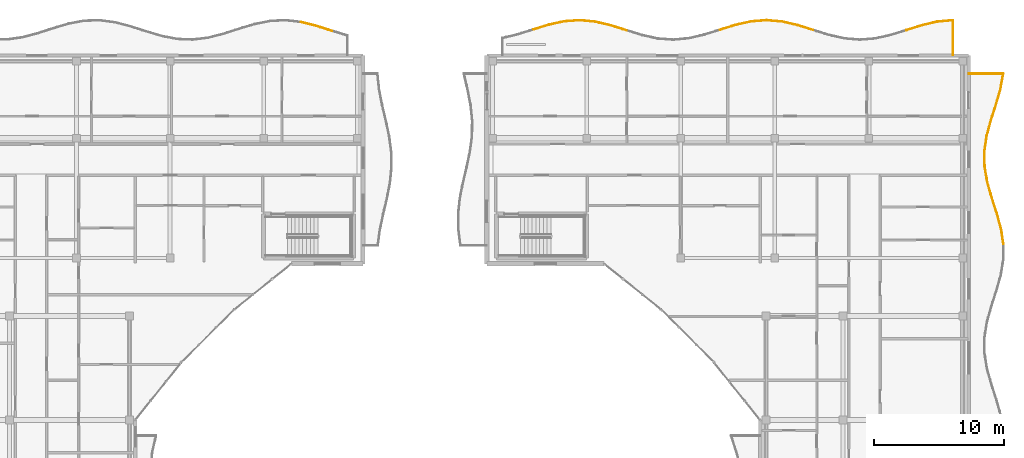
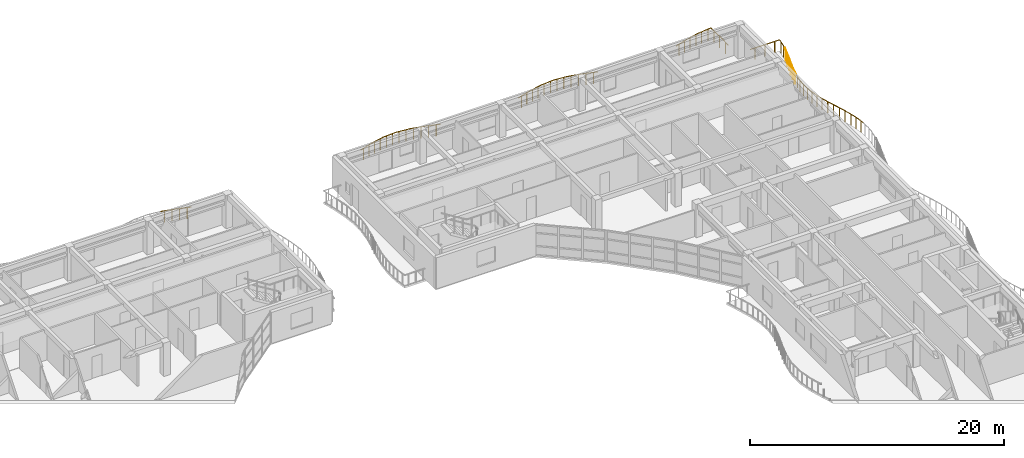
# One storey, part 72 of 72: 30 railings.
"""IFC4 building model written with IfcOpenShell, lengths in metres."""

import ifcopenshell
import ifcopenshell.guid

model = None  # the IFC model being written
_history = None  # IfcOwnerHistory: only IFC2X3 demands one
_inside = {}  # id of a spatial element -> (the spatial element, [elements in it])
_under = {}  # id of a project, library or spatial element -> (it, [spatial elements below it])
_declared = {}  # id of a project -> (the project, [libraries it declares])
_typed = {}  # id of a type object -> (the type object, [elements of that type])
_made_of = {}  # id of a material, layer set ... -> (it, [elements and type objects made of it])


def new_model(schema):
    """Start an empty IFC model of exactly this schema.

    Asked for "IFC4X3", IfcOpenShell would pick the latest addendum, in which some entities
    have other attributes; the version numbers below select the first issue.
    IFC2X3 requires an IfcOwnerHistory on every rooted entity: one is made here for all.
    """
    global model, _history
    if schema == "IFC4X3":
        model = ifcopenshell.file(schema_version=(4, 3, 0, 0))
    else:
        model = ifcopenshell.file(schema=schema)
    _inside.clear()
    _under.clear()
    _declared.clear()
    _typed.clear()
    _made_of.clear()
    _history = None
    if model.schema == "IFC2X3":
        org = make("IfcOrganization", Name="unknown")
        user = make(
            "IfcPersonAndOrganization",
            ThePerson=make("IfcPerson", FamilyName="unknown"),
            TheOrganization=org,
        )
        app = make(
            "IfcApplication",
            ApplicationDeveloper=org,
            Version="unknown",
            ApplicationFullName="unknown",
            ApplicationIdentifier="unknown",
        )
        _history = make(
            "IfcOwnerHistory",
            OwningUser=user,
            OwningApplication=app,
            ChangeAction="ADDED",
            CreationDate=0,
        )
    return model


def make(cls, **values):
    """One entity of the class cls with the attributes given. An attribute that is None is left unset."""
    return model.create_entity(
        cls, **{name: value for name, value in values.items() if value is not None}
    )


def rooted(cls, **values):
    """An entity with a GlobalId (a new one), such as an element, a storey or a relation."""
    return make(cls, GlobalId=ifcopenshell.guid.new(), OwnerHistory=_history, **values)


def si_unit(unit_type, name, prefix=None):
    """IfcSIUnit, for example si_unit("LENGTHUNIT", "METRE", prefix="MILLI")."""
    return make("IfcSIUnit", UnitType=unit_type, Prefix=prefix, Name=name)


def assignment(units):
    """IfcUnitAssignment: the units of a project."""
    return None if units is None else make("IfcUnitAssignment", Units=units)


def point(xyz):
    """IfcCartesianPoint."""
    return None if xyz is None else make("IfcCartesianPoint", Coordinates=xyz)


def direction(xyz):
    """IfcDirection."""
    return None if xyz is None else make("IfcDirection", DirectionRatios=xyz)


def frame(location, z_axis=None, x_axis=None):
    """IfcAxis2Placement3D, a coordinate frame: its origin and axes. An axis left out is left unset."""
    return make(
        "IfcAxis2Placement3D",
        Location=point(location),
        Axis=direction(z_axis),
        RefDirection=direction(x_axis),
    )


def frame_2d(location, x_axis=None):
    """IfcAxis2Placement2D, a coordinate frame in the plane: its origin and x axis."""
    return make(
        "IfcAxis2Placement2D", Location=point(location), RefDirection=direction(x_axis)
    )


def origin():
    """The frame at (0, 0, 0) with its axes left unset."""
    return frame((0.0, 0.0, 0.0))


def origin_2d():
    """The frame at (0, 0) in the plane with its x axis left unset."""
    return frame_2d((0.0, 0.0))


def place(relative_to, where):
    """IfcLocalPlacement: puts the frame where relative to a parent placement (None: the world)."""
    return make(
        "IfcLocalPlacement", PlacementRelTo=relative_to, RelativePlacement=where
    )


def context(
    kind, dimensions, precision=None, world=None, true_north=None, identifier=None
):
    """IfcGeometricRepresentationContext, for example the 3D "Model" context."""
    return make(
        "IfcGeometricRepresentationContext",
        ContextIdentifier=identifier,
        ContextType=kind,
        CoordinateSpaceDimension=dimensions,
        Precision=precision,
        WorldCoordinateSystem=world,
        TrueNorth=true_north,
    )


def subcontext(parent, identifier, kind, view, scale=None):
    """IfcGeometricRepresentationSubContext, for example "Body" below "Model"."""
    return make(
        "IfcGeometricRepresentationSubContext",
        ContextIdentifier=identifier,
        ContextType=kind,
        ParentContext=parent,
        TargetScale=scale,
        TargetView=view,
    )


def project(units=None, contexts=None):
    """IfcProject with its units and contexts."""
    return rooted(
        "IfcProject",
        Name="project",
        RepresentationContexts=contexts,
        UnitsInContext=assignment(units),
    )


def spatial(cls, under=None, at=None, **own):
    """A site, building, storey or space (cls), placed at a placement, below another one or the project."""
    s = rooted(cls, ObjectPlacement=at, **own)
    if under is not None:
        _under.setdefault(under.id(), (under, []))[1].append(s)
    return s


def profile(cls, at=None, kind="AREA", **sizes):
    """A parametric profile (cls). Its sizes go by their IFC names, for example OverallWidth=200.0."""
    return make(cls, ProfileType=kind, Position=at, **sizes)


def circle(**sizes):
    """IfcCircleProfileDef."""
    return profile("IfcCircleProfileDef", **sizes)


def extrude(swept, where, along, depth):
    """IfcExtrudedAreaSolid: the profile swept, set in the frame where, extruded along a direction by depth."""
    return make(
        "IfcExtrudedAreaSolid",
        SweptArea=swept,
        Position=where,
        ExtrudedDirection=direction(along),
        Depth=depth,
    )


def shape(context_of_items, identifier, shape_type, items):
    """IfcShapeRepresentation: the items that make up one representation, for example the "Body"."""
    return make(
        "IfcShapeRepresentation",
        ContextOfItems=context_of_items,
        RepresentationIdentifier=identifier,
        RepresentationType=shape_type,
        Items=items,
    )


def material(Name=None, Category=None):
    """IfcMaterial."""
    return make("IfcMaterial", Name=Name, Category=Category)


def made_of(thing, what):
    """Note that an element or type object is made of a material, layer set ...; save() writes the relation."""
    if what is not None:
        _made_of.setdefault(what.id(), (what, []))[1].append(thing)
    return thing


def type_object(cls, material=None, **own):
    """A type object (cls), such as IfcWallType, which elements share."""
    return made_of(rooted(cls, **own), material)


def element(
    cls,
    number,
    at=None,
    inside=None,
    cuts=None,
    type_object=None,
    material=None,
    context=None,
    identifier="Body",
    shape_type=None,
    held_by="IfcProductDefinitionShape",
    body=None,
    shapes=None,
    **own,
):
    """One element of the class cls, such as IfcWall. Its Tag is "e" and its number.

    at: its placement. inside: the storey or other place that contains it. cuts: it is an
    opening in that element (IfcRelVoidsElement). A single representation is given by context,
    identifier, shape_type and body (its items); several are given by shapes. held_by: the class
    of the entity that holds the representations. save() writes the other relations.
    """
    e = rooted(cls, Tag="e%d" % number, ObjectPlacement=at, **own)
    if body is not None:
        shapes = [shape(context, identifier, shape_type, body)]
    if shapes is not None:
        e.Representation = make(held_by, Representations=shapes)
    if inside is not None:
        _inside.setdefault(inside.id(), (inside, []))[1].append(e)
    if cuts is not None:
        rooted(
            "IfcRelVoidsElement", RelatingBuildingElement=cuts, RelatedOpeningElement=e
        )
    if type_object is not None:
        _typed.setdefault(type_object.id(), (type_object, []))[1].append(e)
    return made_of(e, material)


def aggregate(whole, parts):
    """IfcRelAggregates: a whole, such as a stair, and the parts it consists of."""
    return rooted("IfcRelAggregates", RelatingObject=whole, RelatedObjects=parts)


def save(model, path):
    """Write the relations noted so far, then the file.

    IfcRelAggregates (storeys below a building ...), IfcRelContainedInSpatialStructure (elements
    in a storey), IfcRelDefinesByType, IfcRelAssociatesMaterial and IfcRelDeclares: one each for
    every whole, place, type object, material and project.
    """
    for whole, parts in _under.values():
        aggregate(whole, parts)
    for where, things in _inside.values():
        rooted(
            "IfcRelContainedInSpatialStructure",
            RelatedElements=things,
            RelatingStructure=where,
        )
    for kind, things in _typed.values():
        rooted("IfcRelDefinesByType", RelatedObjects=things, RelatingType=kind)
    for what, things in _made_of.values():
        rooted("IfcRelAssociatesMaterial", RelatedObjects=things, RelatingMaterial=what)
    for by, libraries in _declared.values():
        rooted("IfcRelDeclares", RelatingContext=by, RelatedDefinitions=libraries)
    model.write(path)


model = new_model("IFC4")

# Units and contexts
model_context = context("Model", 3, precision=1e-05, world=origin(), true_north=direction((0.0, 1.0)))
body_context = subcontext(model_context, "Body", "Model", "MODEL_VIEW")
ifc_project = project(units=[si_unit("LENGTHUNIT", "METRE"), si_unit("AREAUNIT", "SQUARE_METRE"), si_unit("VOLUMEUNIT", "CUBIC_METRE"), si_unit("PLANEANGLEUNIT", "RADIAN"), si_unit("MASSUNIT", "GRAM", prefix="KILO")], contexts=[model_context])

# Site, building, storey
site_placement = place(None, origin())
site = spatial("IfcSite", under=ifc_project, at=site_placement, CompositionType="ELEMENT")
building_placement = place(site_placement, origin())
building = spatial("IfcBuilding", under=site, at=building_placement, Name="Keldmere Railside Commons", CompositionType="ELEMENT")
storey_placement = place(building_placement, frame((0.0, 0.0, 16.9599609375)))
storey = spatial("IfcBuildingStorey", under=building, at=storey_placement, Name="L05", CompositionType="ELEMENT", Elevation=16.9599609375)

# Railings
ifc_material = material(Name="Steel F-24 (S235)", Category="steel")
railing_type = type_object("IfcRailingType", Name="Balcony & Terrace Steel Balustrade 1100", PredefinedType="BALUSTRADE", material=ifc_material)
railing_1_placement = place(storey_placement, frame((132.734375, 118.55810546875, 0.0)))
element("IfcRailing", 1, at=railing_1_placement, inside=storey, type_object=railing_type, Name="GR-1 GRD-L05-2401", PredefinedType="BALUSTRADE", context=body_context, shape_type="SweptSolid", body=[
    extrude(circle(Radius=0.02392578125, at=origin_2d()), frame((0.0, 0.0, 1.076171875), z_axis=(0.970048653292, -0.242910704265, 0.0), x_axis=(0.242910704265, 0.970048653292, 0.0)), (0.0, 0.0, 1.0), 1.22509765625),
    extrude(circle(Radius=0.02099609375, at=origin_2d()), frame((0.297119140625, -0.074462890625, 0.0)), (0.0, 0.0, 1.0), 1.048095703125),
    extrude(circle(Radius=0.02099609375, at=origin_2d()), frame((0.891357421875, -0.22314453125, 0.0)), (0.0, 0.0, 1.0), 1.048095703125),
])
railing_2_placement = place(storey_placement, frame((133.9228515625, 118.260498046875, 0.0)))
element("IfcRailing", 2, at=railing_2_placement, inside=storey, type_object=railing_type, Name="GR-1 GRD-L05-2402", PredefinedType="BALUSTRADE", context=body_context, shape_type="SweptSolid", body=[
    extrude(circle(Radius=0.02392578125, at=origin_2d()), frame((0.0, 0.0, 1.076171875), z_axis=(0.952694181035, -0.30393057994, 0.0), x_axis=(0.30393057994, 0.952694181035, 0.0)), (0.0, 0.0, 1.0), 1.24755859375),
    extrude(circle(Radius=0.02099609375, at=origin_2d()), frame((0.297119140625, -0.0947265625, 0.0)), (0.0, 0.0, 1.0), 1.048095703125),
    extrude(circle(Radius=0.02099609375, at=origin_2d()), frame((0.891357421875, -0.284423828125, 0.0)), (0.0, 0.0, 1.0), 1.048095703125),
])
railing_3_placement = place(storey_placement, frame((150.586181640625, 117.993408203125, 0.0)))
element("IfcRailing", 3, at=railing_3_placement, inside=storey, type_object=railing_type, Name="GR-1 GRD-L05-3691", PredefinedType="BALUSTRADE", context=body_context, shape_type="SweptSolid", body=[
    extrude(circle(Radius=0.02392578125, at=origin_2d()), frame((0.0, 0.0, 1.076171875), z_axis=(0.9558720006, 0.293783455065, 0.0), x_axis=(-0.293783455065, 0.9558720006, 0.0)), (0.0, 0.0, 1.0), 1.248291015625),
    extrude(circle(Radius=0.02099609375, at=origin_2d()), frame((0.29833984375, 0.091796875, 0.0)), (0.0, 0.0, 1.0), 1.048095703125),
    extrude(circle(Radius=0.02099609375, at=origin_2d()), frame((0.894775390625, 0.27490234375, 0.0)), (0.0, 0.0, 1.0), 1.048095703125),
])
railing_4_placement = place(storey_placement, frame((151.779296875, 118.360107421875, 0.0)))
element("IfcRailing", 4, at=railing_4_placement, inside=storey, type_object=railing_type, Name="GR-1 GRD-L05-3692", PredefinedType="BALUSTRADE", context=body_context, shape_type="SweptSolid", body=[
    extrude(circle(Radius=0.02392578125, at=origin_2d()), frame((0.0, 0.0, 1.076171875), z_axis=(0.977399648136, 0.211399923896, 0.0), x_axis=(-0.211399923896, 0.977399648136, 0.0)), (0.0, 0.0, 1.0), 1.220703125),
    extrude(circle(Radius=0.02099609375, at=origin_2d()), frame((0.29833984375, 0.064453125, 0.0)), (0.0, 0.0, 1.0), 1.048095703125),
    extrude(circle(Radius=0.02099609375, at=origin_2d()), frame((0.894775390625, 0.193603515625, 0.0)), (0.0, 0.0, 1.0), 1.048095703125),
])
railing_5_placement = place(storey_placement, frame((152.972412109375, 118.6181640625, 0.0)))
element("IfcRailing", 5, at=railing_5_placement, inside=storey, type_object=railing_type, Name="GR-1 GRD-L05-3693", PredefinedType="BALUSTRADE", context=body_context, shape_type="SweptSolid", body=[
    extrude(circle(Radius=0.02392578125, at=origin_2d()), frame((0.0, 0.0, 1.076171875), z_axis=(0.997700351846, 0.067779111277, 0.0), x_axis=(-0.067779111277, 0.997700351846, 0.0)), (0.0, 0.0, 1.0), 1.19580078125),
    extrude(circle(Radius=0.02099609375, at=origin_2d()), frame((0.29833984375, 0.020263671875, 0.0)), (0.0, 0.0, 1.0), 1.048095703125),
    extrude(circle(Radius=0.02099609375, at=origin_2d()), frame((0.894775390625, 0.060791015625, 0.0)), (0.0, 0.0, 1.0), 1.048095703125),
])
railing_6_placement = place(storey_placement, frame((154.16552734375, 118.69921875, 0.0)))
element("IfcRailing", 6, at=railing_6_placement, inside=storey, type_object=railing_type, Name="GR-1 GRD-L05-3694", PredefinedType="BALUSTRADE", context=body_context, shape_type="SweptSolid", body=[
    extrude(circle(Radius=0.02392578125, at=origin_2d()), frame((0.0, 0.0, 1.076171875), z_axis=(0.995171358823, -0.098152771629, 0.0), x_axis=(0.098152771629, 0.995171358823, 0.0)), (0.0, 0.0, 1.0), 1.198974609375),
    extrude(circle(Radius=0.02099609375, at=origin_2d()), frame((0.29833984375, -0.029296875, 0.0)), (0.0, 0.0, 1.0), 1.048095703125),
    extrude(circle(Radius=0.02099609375, at=origin_2d()), frame((0.894775390625, -0.08837890625, 0.0)), (0.0, 0.0, 1.0), 1.048095703125),
])
railing_7_placement = place(storey_placement, frame((155.358642578125, 118.58154296875, 0.0)))
element("IfcRailing", 7, at=railing_7_placement, inside=storey, type_object=railing_type, Name="GR-1 GRD-L05-3695", PredefinedType="BALUSTRADE", context=body_context, shape_type="SweptSolid", body=[
    extrude(circle(Radius=0.02392578125, at=origin_2d()), frame((0.0, 0.0, 1.076171875), z_axis=(0.972697191658, -0.23207794669, 0.0), x_axis=(0.23207794669, 0.972697191658, 0.0)), (0.0, 0.0, 1.0), 1.2265625),
    extrude(circle(Radius=0.02099609375, at=origin_2d()), frame((0.29833984375, -0.0712890625, 0.0)), (0.0, 0.0, 1.0), 1.048095703125),
    extrude(circle(Radius=0.02099609375, at=origin_2d()), frame((0.894775390625, -0.21337890625, 0.0)), (0.0, 0.0, 1.0), 1.048095703125),
])
railing_8_placement = place(storey_placement, frame((156.5517578125, 118.296875, 0.0)))
element("IfcRailing", 8, at=railing_8_placement, inside=storey, type_object=railing_type, Name="GR-1 GRD-L05-3696", PredefinedType="BALUSTRADE", context=body_context, shape_type="SweptSolid", body=[
    extrude(circle(Radius=0.02392578125, at=origin_2d()), frame((0.0, 0.0, 1.076171875), z_axis=(0.953597409286, -0.301084674141, 0.0), x_axis=(0.301084674141, 0.953597409286, 0.0)), (0.0, 0.0, 1.0), 1.251220703125),
    extrude(circle(Radius=0.02099609375, at=origin_2d()), frame((0.29833984375, -0.09423828125, 0.0)), (0.0, 0.0, 1.0), 1.048095703125),
    extrude(circle(Radius=0.02099609375, at=origin_2d()), frame((0.894775390625, -0.282470703125, 0.0)), (0.0, 0.0, 1.0), 1.048095703125),
])
railing_9_placement = place(storey_placement, frame((164.9033203125, 117.96630859375, 0.0)))
element("IfcRailing", 9, at=railing_9_placement, inside=storey, type_object=railing_type, Name="GR-1 GRD-L05-3703", PredefinedType="BALUSTRADE", context=body_context, shape_type="SweptSolid", body=[
    extrude(circle(Radius=0.02392578125, at=origin_2d()), frame((0.0, 0.0, 1.076171875), z_axis=(0.954951552138, 0.296761744619, 0.0), x_axis=(-0.296761744619, 0.954951552138, 0.0)), (0.0, 0.0, 1.0), 1.249755859375),
    extrude(circle(Radius=0.02099609375, at=origin_2d()), frame((0.29833984375, 0.0927734375, 0.0)), (0.0, 0.0, 1.0), 1.048095703125),
    extrude(circle(Radius=0.02099609375, at=origin_2d()), frame((0.89501953125, 0.278076171875, 0.0)), (0.0, 0.0, 1.0), 1.048095703125),
])
railing_10_placement = place(storey_placement, frame((166.0966796875, 118.337158203125, 0.0)))
element("IfcRailing", 10, at=railing_10_placement, inside=storey, type_object=railing_type, Name="GR-1 GRD-L05-3704", PredefinedType="BALUSTRADE", context=body_context, shape_type="SweptSolid", body=[
    extrude(circle(Radius=0.02392578125, at=origin_2d()), frame((0.0, 0.0, 1.076171875), z_axis=(0.975634333686, 0.219402932826, 0.0), x_axis=(-0.219402932826, 0.975634333686, 0.0)), (0.0, 0.0, 1.0), 1.222900390625),
    extrude(circle(Radius=0.02099609375, at=origin_2d()), frame((0.29833984375, 0.067138671875, 0.0)), (0.0, 0.0, 1.0), 1.048095703125),
    extrude(circle(Radius=0.02099609375, at=origin_2d()), frame((0.894775390625, 0.201171875, 0.0)), (0.0, 0.0, 1.0), 1.048095703125),
])
railing_11_placement = place(storey_placement, frame((167.289794921875, 118.60546875, 0.0)))
element("IfcRailing", 11, at=railing_11_placement, inside=storey, type_object=railing_type, Name="GR-1 GRD-L05-3705", PredefinedType="BALUSTRADE", context=body_context, shape_type="SweptSolid", body=[
    extrude(circle(Radius=0.02392578125, at=origin_2d()), frame((0.0, 0.0, 1.076171875), z_axis=(0.996879167168, 0.07894254915, 0.0), x_axis=(-0.07894254915, 0.996879167168, 0.0)), (0.0, 0.0, 1.0), 1.19677734375),
    extrude(circle(Radius=0.02099609375, at=origin_2d()), frame((0.29833984375, 0.023681640625, 0.0)), (0.0, 0.0, 1.0), 1.048095703125),
    extrude(circle(Radius=0.02099609375, at=origin_2d()), frame((0.894775390625, 0.07080078125, 0.0)), (0.0, 0.0, 1.0), 1.048095703125),
])
railing_12_placement = place(storey_placement, frame((168.48291015625, 118.699951171875, 0.0)))
element("IfcRailing", 12, at=railing_12_placement, inside=storey, type_object=railing_type, Name="GR-1 GRD-L05-3706", PredefinedType="BALUSTRADE", context=body_context, shape_type="SweptSolid", body=[
    extrude(circle(Radius=0.02392578125, at=origin_2d()), frame((0.0, 0.0, 1.076171875), z_axis=(0.996203006831, -0.087060721227, 0.0), x_axis=(0.087060721227, 0.996203006831, 0.0)), (0.0, 0.0, 1.0), 1.197509765625),
    extrude(circle(Radius=0.02099609375, at=origin_2d()), frame((0.29833984375, -0.026123046875, 0.0)), (0.0, 0.0, 1.0), 1.048095703125),
    extrude(circle(Radius=0.02099609375, at=origin_2d()), frame((0.89453125, -0.078125, 0.0)), (0.0, 0.0, 1.0), 1.048095703125),
])
railing_13_placement = place(storey_placement, frame((169.67578125, 118.595703125, 0.0)))
element("IfcRailing", 13, at=railing_13_placement, inside=storey, type_object=railing_type, Name="GR-1 GRD-L05-3707", PredefinedType="BALUSTRADE", context=body_context, shape_type="SweptSolid", body=[
    extrude(circle(Radius=0.02392578125, at=origin_2d()), frame((0.0, 0.0, 1.076171875), z_axis=(0.974424790071, -0.224713881402, 0.0), x_axis=(0.224713881402, 0.974424790071, 0.0)), (0.0, 0.0, 1.0), 1.224365234375),
    extrude(circle(Radius=0.02099609375, at=origin_2d()), frame((0.29833984375, -0.06884765625, 0.0)), (0.0, 0.0, 1.0), 1.048095703125),
    extrude(circle(Radius=0.02099609375, at=origin_2d()), frame((0.894775390625, -0.206298828125, 0.0)), (0.0, 0.0, 1.0), 1.048095703125),
])
railing_14_placement = place(storey_placement, frame((170.868896484375, 118.320556640625, 0.0)))
element("IfcRailing", 14, at=railing_14_placement, inside=storey, type_object=railing_type, Name="GR-1 GRD-L05-3708", PredefinedType="BALUSTRADE", context=body_context, shape_type="SweptSolid", body=[
    extrude(circle(Radius=0.02392578125, at=origin_2d()), frame((0.0, 0.0, 1.076171875), z_axis=(0.954323485515, -0.298775308541, 0.0), x_axis=(0.298775308541, 0.954323485515, 0.0)), (0.0, 0.0, 1.0), 1.250244140625),
    extrude(circle(Radius=0.02099609375, at=origin_2d()), frame((0.29833984375, -0.09326171875, 0.0)), (0.0, 0.0, 1.0), 1.048095703125),
    extrude(circle(Radius=0.02099609375, at=origin_2d()), frame((0.894775390625, -0.2802734375, 0.0)), (0.0, 0.0, 1.0), 1.048095703125),
])
railing_15_placement = place(storey_placement, frame((179.220703125, 117.939208984375, 0.0)))
element("IfcRailing", 15, at=railing_15_placement, inside=storey, type_object=railing_type, Name="GR-1 GRD-L05-3715", PredefinedType="BALUSTRADE", context=body_context, shape_type="SweptSolid", body=[
    extrude(circle(Radius=0.02392578125, at=origin_2d()), frame((0.0, 0.0, 1.076171875), z_axis=(0.954100555413, 0.299486444036, 0.0), x_axis=(-0.299486444036, 0.954100555413, 0.0)), (0.0, 0.0, 1.0), 1.25048828125),
    extrude(circle(Radius=0.02099609375, at=origin_2d()), frame((0.29833984375, 0.09375, 0.0)), (0.0, 0.0, 1.0), 1.048095703125),
    extrude(circle(Radius=0.02099609375, at=origin_2d()), frame((0.894775390625, 0.28076171875, 0.0)), (0.0, 0.0, 1.0), 1.048095703125),
])
railing_16_placement = place(storey_placement, frame((180.413818359375, 118.313720703125, 0.0)))
element("IfcRailing", 16, at=railing_16_placement, inside=storey, type_object=railing_type, Name="GR-1 GRD-L05-3716", PredefinedType="BALUSTRADE", context=body_context, shape_type="SweptSolid", body=[
    extrude(circle(Radius=0.02392578125, at=origin_2d()), frame((0.0, 0.0, 1.076171875), z_axis=(0.973898506881, 0.226983916378, 0.0), x_axis=(-0.226983916378, 0.973898506881, 0.0)), (0.0, 0.0, 1.0), 1.22509765625),
    extrude(circle(Radius=0.02099609375, at=origin_2d()), frame((0.29833984375, 0.069580078125, 0.0)), (0.0, 0.0, 1.0), 1.048095703125),
    extrude(circle(Radius=0.02099609375, at=origin_2d()), frame((0.894775390625, 0.20849609375, 0.0)), (0.0, 0.0, 1.0), 1.048095703125),
])
railing_17_placement = place(storey_placement, frame((181.60693359375, 118.591796875, 0.0)))
element("IfcRailing", 17, at=railing_17_placement, inside=storey, type_object=railing_type, Name="GR-1 GRD-L05-3717", PredefinedType="BALUSTRADE", context=body_context, shape_type="SweptSolid", body=[
    extrude(circle(Radius=0.02392578125, at=origin_2d()), frame((0.0, 0.0, 1.076171875), z_axis=(0.995934861319, 0.09007636765, 0.0), x_axis=(-0.09007636765, 0.995934861319, 0.0)), (0.0, 0.0, 1.0), 1.197998046875),
    extrude(circle(Radius=0.02099609375, at=origin_2d()), frame((0.29833984375, 0.02685546875, 0.0)), (0.0, 0.0, 1.0), 1.048095703125),
    extrude(circle(Radius=0.02099609375, at=origin_2d()), frame((0.894775390625, 0.0810546875, 0.0)), (0.0, 0.0, 1.0), 1.048095703125),
])
railing_18_placement = place(storey_placement, frame((182.800048828125, 118.69970703125, 0.0)))
element("IfcRailing", 18, at=railing_18_placement, inside=storey, type_object=railing_type, Name="GR-1 GRD-L05-3718", PredefinedType="BALUSTRADE", context=body_context, shape_type="SweptSolid", body=[
    extrude(circle(Radius=0.02392578125, at=origin_2d()), frame((0.0, 0.0, 1.076171875), z_axis=(0.0, -1.0, 0.0), x_axis=(1.0, 0.0, 0.0)), (0.0, 0.0, 1.0), 2.69970703125),
    extrude(circle(Radius=0.02099609375, at=origin_2d()), frame((0.0, -0.449951171875, 0.0)), (0.0, 0.0, 1.0), 1.048095703125),
    extrude(circle(Radius=0.02099609375, at=origin_2d()), frame((0.0, -1.349853515625, 0.0)), (0.0, 0.0, 1.0), 1.048095703125),
    extrude(circle(Radius=0.02099609375, at=origin_2d()), frame((0.0, -2.249755859375, 0.0)), (0.0, 0.0, 1.0), 1.048095703125),
])
railing_19_placement = place(storey_placement, frame((186.679443359375, 101.49169921875, 0.0)))
element("IfcRailing", 19, at=railing_19_placement, inside=storey, type_object=railing_type, Name="GR-1 GRD-L05-3783", PredefinedType="BALUSTRADE", context=body_context, shape_type="SweptSolid", body=[
    extrude(circle(Radius=0.02392578125, at=origin_2d()), frame((0.0, 0.0, 1.076171875), z_axis=(-0.152072400489, 0.988369356572, 0.0), x_axis=(-0.988369356572, -0.152072400489, 0.0)), (0.0, 0.0, 1.0), 1.20556640625),
    extrude(circle(Radius=0.02099609375, at=origin_2d()), frame((-0.0458984375, 0.2978515625, 0.0)), (0.0, 0.0, 1.0), 1.048095703125),
    extrude(circle(Radius=0.02099609375, at=origin_2d()), frame((-0.137451171875, 0.893798828125, 0.0)), (0.0, 0.0, 1.0), 1.048095703125),
])
railing_20_placement = place(storey_placement, frame((186.49609375, 102.683349609375, 0.0)))
element("IfcRailing", 20, at=railing_20_placement, inside=storey, type_object=railing_type, Name="GR-1 GRD-L05-3784", PredefinedType="BALUSTRADE", context=body_context, shape_type="SweptSolid", body=[
    extrude(circle(Radius=0.02392578125, at=origin_2d()), frame((0.0, 0.0, 1.076171875), z_axis=(-0.264922301005, 0.964269762271, 0.0), x_axis=(-0.964269762271, -0.264922301005, 0.0)), (0.0, 0.0, 1.0), 1.23583984375),
    extrude(circle(Radius=0.02099609375, at=origin_2d()), frame((-0.081787109375, 0.2978515625, 0.0)), (0.0, 0.0, 1.0), 1.048095703125),
    extrude(circle(Radius=0.02099609375, at=origin_2d()), frame((-0.24560546875, 0.893798828125, 0.0)), (0.0, 0.0, 1.0), 1.048095703125),
])
railing_21_placement = place(storey_placement, frame((186.168701171875, 103.875, 0.0)))
element("IfcRailing", 21, at=railing_21_placement, inside=storey, type_object=railing_type, Name="GR-1 GRD-L05-3785", PredefinedType="BALUSTRADE", context=body_context, shape_type="SweptSolid", body=[
    extrude(circle(Radius=0.02392578125, at=origin_2d()), frame((0.0, 0.0, 1.076171875), z_axis=(-0.307794335351, 0.951452913772, 0.0), x_axis=(-0.951452913772, -0.307794335351, 0.0)), (0.0, 0.0, 1.0), 1.25244140625),
    extrude(circle(Radius=0.02099609375, at=origin_2d()), frame((-0.096435546875, 0.2978515625, 0.0)), (0.0, 0.0, 1.0), 1.048095703125),
    extrude(circle(Radius=0.02099609375, at=origin_2d()), frame((-0.2890625, 0.893798828125, 0.0)), (0.0, 0.0, 1.0), 1.048095703125),
])
railing_22_placement = place(storey_placement, frame((185.783203125, 105.066650390625, 0.0)))
element("IfcRailing", 22, at=railing_22_placement, inside=storey, type_object=railing_type, Name="GR-1 GRD-L05-3786", PredefinedType="BALUSTRADE", context=body_context, shape_type="SweptSolid", body=[
    extrude(circle(Radius=0.02392578125, at=origin_2d()), frame((0.0, 0.0, 1.076171875), z_axis=(-0.275345385381, 0.961345369131, 0.0), x_axis=(-0.961345369131, -0.275345385381, 0.0)), (0.0, 0.0, 1.0), 1.239501953125),
    extrude(circle(Radius=0.02099609375, at=origin_2d()), frame((-0.08544921875, 0.2978515625, 0.0)), (0.0, 0.0, 1.0), 1.048095703125),
    extrude(circle(Radius=0.02099609375, at=origin_2d()), frame((-0.255859375, 0.893798828125, 0.0)), (0.0, 0.0, 1.0), 1.048095703125),
])
railing_23_placement = place(storey_placement, frame((185.44189453125, 106.25830078125, 0.0)))
element("IfcRailing", 23, at=railing_23_placement, inside=storey, type_object=railing_type, Name="GR-1 GRD-L05-3787", PredefinedType="BALUSTRADE", context=body_context, shape_type="SweptSolid", body=[
    extrude(circle(Radius=0.02392578125, at=origin_2d()), frame((0.0, 0.0, 1.076171875), z_axis=(-0.17097485304, 0.985275392785, 0.0), x_axis=(-0.985275392785, -0.17097485304, 0.0)), (0.0, 0.0, 1.0), 1.20947265625),
    extrude(circle(Radius=0.02099609375, at=origin_2d()), frame((-0.0517578125, 0.2978515625, 0.0)), (0.0, 0.0, 1.0), 1.048095703125),
    extrude(circle(Radius=0.02099609375, at=origin_2d()), frame((-0.155029296875, 0.893798828125, 0.0)), (0.0, 0.0, 1.0), 1.048095703125),
])
railing_24_placement = place(storey_placement, frame((185.235107421875, 107.449951171875, 0.0)))
element("IfcRailing", 24, at=railing_24_placement, inside=storey, type_object=railing_type, Name="GR-1 GRD-L05-3788", PredefinedType="BALUSTRADE", context=body_context, shape_type="SweptSolid", body=[
    extrude(circle(Radius=0.02392578125, at=origin_2d()), frame((0.0, 0.0, 1.076171875), z_axis=(-0.015159085636, 0.99988509446, 0.0), x_axis=(-0.99988509446, -0.015159085636, 0.0)), (0.0, 0.0, 1.0), 1.19189453125),
    extrude(circle(Radius=0.02099609375, at=origin_2d()), frame((-0.00439453125, 0.2978515625, 0.0)), (0.0, 0.0, 1.0), 1.048095703125),
    extrude(circle(Radius=0.02099609375, at=origin_2d()), frame((-0.013671875, 0.893798828125, 0.0)), (0.0, 0.0, 1.0), 1.048095703125),
])
railing_25_placement = place(storey_placement, frame((185.217041015625, 108.6416015625, 0.0)))
element("IfcRailing", 25, at=railing_25_placement, inside=storey, type_object=railing_type, Name="GR-1 GRD-L05-3789", PredefinedType="BALUSTRADE", context=body_context, shape_type="SweptSolid", body=[
    extrude(circle(Radius=0.02392578125, at=origin_2d()), frame((0.0, 0.0, 1.076171875), z_axis=(0.145733231081, 0.989323923373, 0.0), x_axis=(-0.989323923373, 0.145733231081, 0.0)), (0.0, 0.0, 1.0), 1.20458984375),
    extrude(circle(Radius=0.02099609375, at=origin_2d()), frame((0.0439453125, 0.2978515625, 0.0)), (0.0, 0.0, 1.0), 1.048095703125),
    extrude(circle(Radius=0.02099609375, at=origin_2d()), frame((0.131591796875, 0.893798828125, 0.0)), (0.0, 0.0, 1.0), 1.048095703125),
])
railing_26_placement = place(storey_placement, frame((185.392578125, 109.833251953125, 0.0)))
element("IfcRailing", 26, at=railing_26_placement, inside=storey, type_object=railing_type, Name="GR-1 GRD-L05-3790", PredefinedType="BALUSTRADE", context=body_context, shape_type="SweptSolid", body=[
    extrude(circle(Radius=0.02392578125, at=origin_2d()), frame((0.0, 0.0, 1.076171875), z_axis=(0.261795405389, 0.965123394037, 0.0), x_axis=(-0.965123394037, 0.261795405389, 0.0)), (0.0, 0.0, 1.0), 1.234619140625),
    extrude(circle(Radius=0.02099609375, at=origin_2d()), frame((0.080810546875, 0.2978515625, 0.0)), (0.0, 0.0, 1.0), 1.048095703125),
    extrude(circle(Radius=0.02099609375, at=origin_2d()), frame((0.242431640625, 0.893798828125, 0.0)), (0.0, 0.0, 1.0), 1.048095703125),
])
railing_27_placement = place(storey_placement, frame((185.7158203125, 111.02490234375, 0.0)))
element("IfcRailing", 27, at=railing_27_placement, inside=storey, type_object=railing_type, Name="GR-1 GRD-L05-3791", PredefinedType="BALUSTRADE", context=body_context, shape_type="SweptSolid", body=[
    extrude(circle(Radius=0.02392578125, at=origin_2d()), frame((0.0, 0.0, 1.076171875), z_axis=(0.307207806307, 0.951642455833, 0.0), x_axis=(-0.951642455833, 0.307207806307, 0.0)), (0.0, 0.0, 1.0), 1.25244140625),
    extrude(circle(Radius=0.02099609375, at=origin_2d()), frame((0.09619140625, 0.2978515625, 0.0)), (0.0, 0.0, 1.0), 1.048095703125),
    extrude(circle(Radius=0.02099609375, at=origin_2d()), frame((0.28857421875, 0.89404296875, 0.0)), (0.0, 0.0, 1.0), 1.048095703125),
])
railing_28_placement = place(storey_placement, frame((186.1005859375, 112.216796875, 0.0)))
element("IfcRailing", 28, at=railing_28_placement, inside=storey, type_object=railing_type, Name="GR-1 GRD-L05-3792", PredefinedType="BALUSTRADE", context=body_context, shape_type="SweptSolid", body=[
    extrude(circle(Radius=0.02392578125, at=origin_2d()), frame((0.0, 0.0, 1.076171875), z_axis=(0.278306578833, 0.9604922947, 0.0), x_axis=(-0.9604922947, 0.278306578833, 0.0)), (0.0, 0.0, 1.0), 1.240478515625),
    extrude(circle(Radius=0.02099609375, at=origin_2d()), frame((0.08642578125, 0.2978515625, 0.0)), (0.0, 0.0, 1.0), 1.048095703125),
    extrude(circle(Radius=0.02099609375, at=origin_2d()), frame((0.2587890625, 0.8935546875, 0.0)), (0.0, 0.0, 1.0), 1.048095703125),
])
railing_29_placement = place(storey_placement, frame((186.44580078125, 113.408203125, 0.0)))
element("IfcRailing", 29, at=railing_29_placement, inside=storey, type_object=railing_type, Name="GR-1 GRD-L05-3793", PredefinedType="BALUSTRADE", context=body_context, shape_type="SweptSolid", body=[
    extrude(circle(Radius=0.02392578125, at=origin_2d()), frame((0.0, 0.0, 1.076171875), z_axis=(0.176809294922, 0.984245128629, 0.0), x_axis=(-0.984245128629, 0.176809294922, 0.0)), (0.0, 0.0, 1.0), 1.2109375),
    extrude(circle(Radius=0.02099609375, at=origin_2d()), frame((0.053466796875, 0.2978515625, 0.0)), (0.0, 0.0, 1.0), 1.048095703125),
    extrude(circle(Radius=0.02099609375, at=origin_2d()), frame((0.16064453125, 0.89404296875, 0.0)), (0.0, 0.0, 1.0), 1.048095703125),
])
railing_30_placement = place(storey_placement, frame((186.659912109375, 114.60009765625, 0.0)))
element("IfcRailing", 30, at=railing_30_placement, inside=storey, type_object=railing_type, Name="GR-1 GRD-L05-3794", PredefinedType="BALUSTRADE", context=body_context, shape_type="SweptSolid", body=[
    extrude(circle(Radius=0.02392578125, at=origin_2d()), frame((0.0, 0.0, 1.076171875), z_axis=(-1.0, 0.0, 0.0), x_axis=(0.0, -1.0, 0.0)), (0.0, 0.0, 1.0), 2.659912109375),
    extrude(circle(Radius=0.02099609375, at=origin_2d()), frame((-0.443359375, 0.0, 0.0)), (0.0, 0.0, 1.0), 1.048095703125),
    extrude(circle(Radius=0.02099609375, at=origin_2d()), frame((-1.330078125, 0.0, 0.0)), (0.0, 0.0, 1.0), 1.048095703125),
    extrude(circle(Radius=0.02099609375, at=origin_2d()), frame((-2.216552734375, 0.0, 0.0)), (0.0, 0.0, 1.0), 1.048095703125),
])

save(model, "model.ifc")
